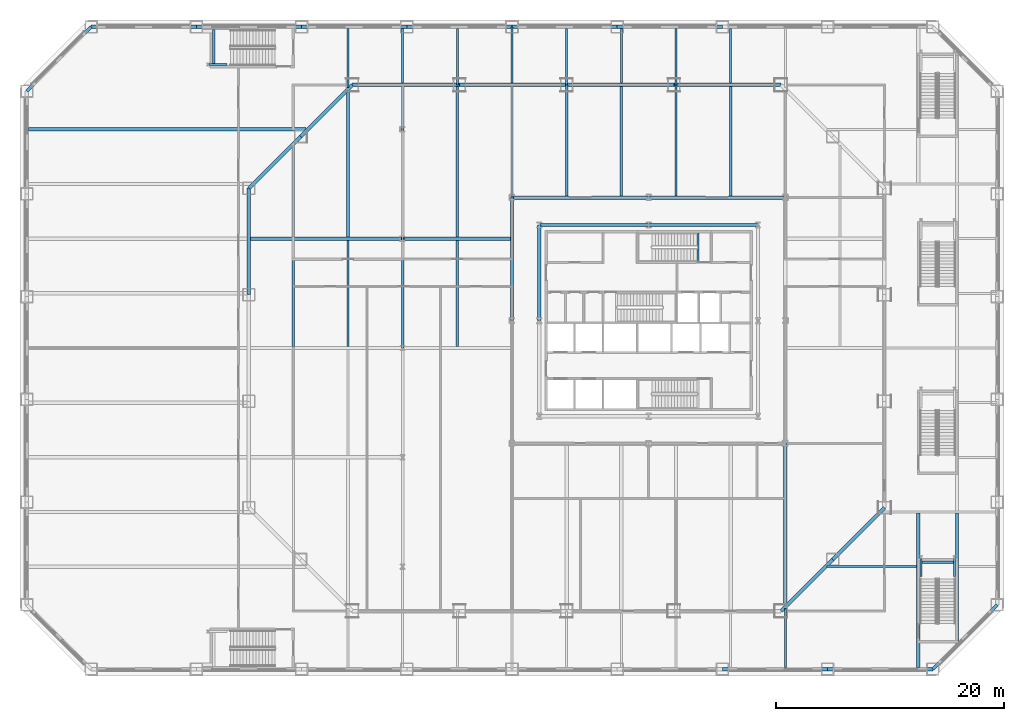
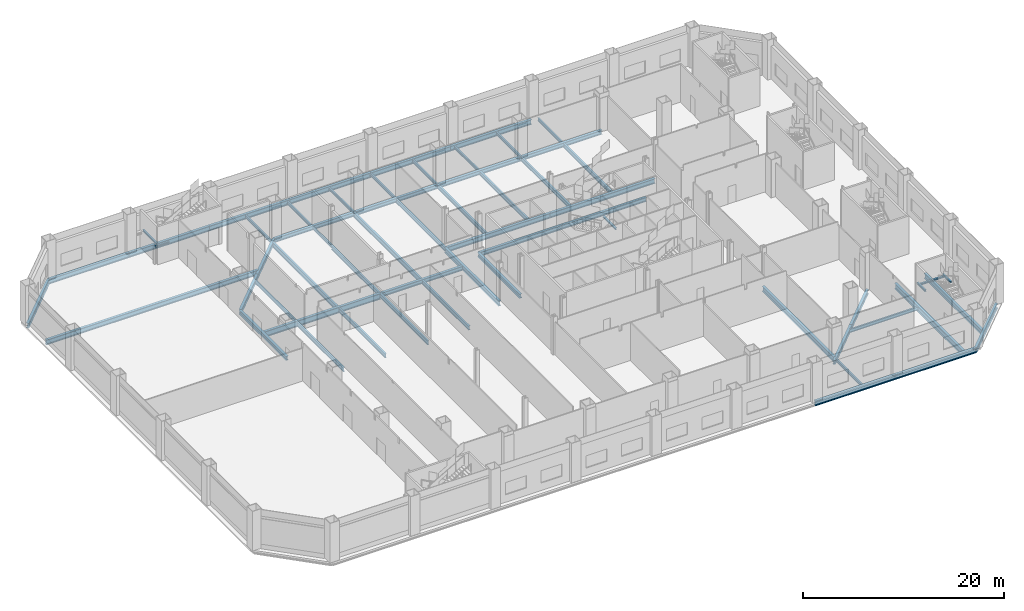
# One storey, part 9 of 25: 61 beams.
"""IFC4 building model written with IfcOpenShell, lengths in metres."""

import ifcopenshell
import ifcopenshell.guid

model = None  # the IFC model being written
_history = None  # IfcOwnerHistory: only IFC2X3 demands one
_inside = {}  # id of a spatial element -> (the spatial element, [elements in it])
_under = {}  # id of a project, library or spatial element -> (it, [spatial elements below it])
_declared = {}  # id of a project -> (the project, [libraries it declares])
_typed = {}  # id of a type object -> (the type object, [elements of that type])
_made_of = {}  # id of a material, layer set ... -> (it, [elements and type objects made of it])


def new_model(schema):
    """Start an empty IFC model of exactly this schema.

    Asked for "IFC4X3", IfcOpenShell would pick the latest addendum, in which some entities
    have other attributes; the version numbers below select the first issue.
    IFC2X3 requires an IfcOwnerHistory on every rooted entity: one is made here for all.
    """
    global model, _history
    if schema == "IFC4X3":
        model = ifcopenshell.file(schema_version=(4, 3, 0, 0))
    else:
        model = ifcopenshell.file(schema=schema)
    _inside.clear()
    _under.clear()
    _declared.clear()
    _typed.clear()
    _made_of.clear()
    _history = None
    if model.schema == "IFC2X3":
        org = make("IfcOrganization", Name="unknown")
        user = make(
            "IfcPersonAndOrganization",
            ThePerson=make("IfcPerson", FamilyName="unknown"),
            TheOrganization=org,
        )
        app = make(
            "IfcApplication",
            ApplicationDeveloper=org,
            Version="unknown",
            ApplicationFullName="unknown",
            ApplicationIdentifier="unknown",
        )
        _history = make(
            "IfcOwnerHistory",
            OwningUser=user,
            OwningApplication=app,
            ChangeAction="ADDED",
            CreationDate=0,
        )
    return model


def make(cls, **values):
    """One entity of the class cls with the attributes given. An attribute that is None is left unset."""
    return model.create_entity(
        cls, **{name: value for name, value in values.items() if value is not None}
    )


def rooted(cls, **values):
    """An entity with a GlobalId (a new one), such as an element, a storey or a relation."""
    return make(cls, GlobalId=ifcopenshell.guid.new(), OwnerHistory=_history, **values)


def si_unit(unit_type, name, prefix=None):
    """IfcSIUnit, for example si_unit("LENGTHUNIT", "METRE", prefix="MILLI")."""
    return make("IfcSIUnit", UnitType=unit_type, Prefix=prefix, Name=name)


def assignment(units):
    """IfcUnitAssignment: the units of a project."""
    return None if units is None else make("IfcUnitAssignment", Units=units)


def point(xyz):
    """IfcCartesianPoint."""
    return None if xyz is None else make("IfcCartesianPoint", Coordinates=xyz)


def direction(xyz):
    """IfcDirection."""
    return None if xyz is None else make("IfcDirection", DirectionRatios=xyz)


def frame(location, z_axis=None, x_axis=None):
    """IfcAxis2Placement3D, a coordinate frame: its origin and axes. An axis left out is left unset."""
    return make(
        "IfcAxis2Placement3D",
        Location=point(location),
        Axis=direction(z_axis),
        RefDirection=direction(x_axis),
    )


def frame_2d(location, x_axis=None):
    """IfcAxis2Placement2D, a coordinate frame in the plane: its origin and x axis."""
    return make(
        "IfcAxis2Placement2D", Location=point(location), RefDirection=direction(x_axis)
    )


def origin():
    """The frame at (0, 0, 0) with its axes left unset."""
    return frame((0.0, 0.0, 0.0))


def origin_2d():
    """The frame at (0, 0) in the plane with its x axis left unset."""
    return frame_2d((0.0, 0.0))


def place(relative_to, where):
    """IfcLocalPlacement: puts the frame where relative to a parent placement (None: the world)."""
    return make(
        "IfcLocalPlacement", PlacementRelTo=relative_to, RelativePlacement=where
    )


def context(
    kind, dimensions, precision=None, world=None, true_north=None, identifier=None
):
    """IfcGeometricRepresentationContext, for example the 3D "Model" context."""
    return make(
        "IfcGeometricRepresentationContext",
        ContextIdentifier=identifier,
        ContextType=kind,
        CoordinateSpaceDimension=dimensions,
        Precision=precision,
        WorldCoordinateSystem=world,
        TrueNorth=true_north,
    )


def subcontext(parent, identifier, kind, view, scale=None):
    """IfcGeometricRepresentationSubContext, for example "Body" below "Model"."""
    return make(
        "IfcGeometricRepresentationSubContext",
        ContextIdentifier=identifier,
        ContextType=kind,
        ParentContext=parent,
        TargetScale=scale,
        TargetView=view,
    )


def project(units=None, contexts=None):
    """IfcProject with its units and contexts."""
    return rooted(
        "IfcProject",
        Name="project",
        RepresentationContexts=contexts,
        UnitsInContext=assignment(units),
    )


def spatial(cls, under=None, at=None, **own):
    """A site, building, storey or space (cls), placed at a placement, below another one or the project."""
    s = rooted(cls, ObjectPlacement=at, **own)
    if under is not None:
        _under.setdefault(under.id(), (under, []))[1].append(s)
    return s


def profile(cls, at=None, kind="AREA", **sizes):
    """A parametric profile (cls). Its sizes go by their IFC names, for example OverallWidth=200.0."""
    return make(cls, ProfileType=kind, Position=at, **sizes)


def i_section(**sizes):
    """IfcIShapeProfileDef."""
    return profile("IfcIShapeProfileDef", **sizes)


def extrude(swept, where, along, depth):
    """IfcExtrudedAreaSolid: the profile swept, set in the frame where, extruded along a direction by depth."""
    return make(
        "IfcExtrudedAreaSolid",
        SweptArea=swept,
        Position=where,
        ExtrudedDirection=direction(along),
        Depth=depth,
    )


def shape(context_of_items, identifier, shape_type, items):
    """IfcShapeRepresentation: the items that make up one representation, for example the "Body"."""
    return make(
        "IfcShapeRepresentation",
        ContextOfItems=context_of_items,
        RepresentationIdentifier=identifier,
        RepresentationType=shape_type,
        Items=items,
    )


def material(Name=None, Category=None):
    """IfcMaterial."""
    return make("IfcMaterial", Name=Name, Category=Category)


def material_profile(
    of_material, cross_section, Name=None, Category=None, Priority=None
):
    """IfcMaterialProfile: a cross section and its material."""
    return make(
        "IfcMaterialProfile",
        Name=Name,
        Material=of_material,
        Profile=cross_section,
        Priority=Priority,
        Category=Category,
    )


def profile_set(profiles, Name=None, composite=None):
    """IfcMaterialProfileSet."""
    return make(
        "IfcMaterialProfileSet",
        Name=Name,
        MaterialProfiles=profiles,
        CompositeProfile=composite,
    )


def made_of(thing, what):
    """Note that an element or type object is made of a material, layer set ...; save() writes the relation."""
    if what is not None:
        _made_of.setdefault(what.id(), (what, []))[1].append(thing)
    return thing


def type_object(cls, material=None, **own):
    """A type object (cls), such as IfcWallType, which elements share."""
    return made_of(rooted(cls, **own), material)


def element(
    cls,
    number,
    at=None,
    inside=None,
    cuts=None,
    type_object=None,
    material=None,
    context=None,
    identifier="Body",
    shape_type=None,
    held_by="IfcProductDefinitionShape",
    body=None,
    shapes=None,
    **own,
):
    """One element of the class cls, such as IfcWall. Its Tag is "e" and its number.

    at: its placement. inside: the storey or other place that contains it. cuts: it is an
    opening in that element (IfcRelVoidsElement). A single representation is given by context,
    identifier, shape_type and body (its items); several are given by shapes. held_by: the class
    of the entity that holds the representations. save() writes the other relations.
    """
    e = rooted(cls, Tag="e%d" % number, ObjectPlacement=at, **own)
    if body is not None:
        shapes = [shape(context, identifier, shape_type, body)]
    if shapes is not None:
        e.Representation = make(held_by, Representations=shapes)
    if inside is not None:
        _inside.setdefault(inside.id(), (inside, []))[1].append(e)
    if cuts is not None:
        rooted(
            "IfcRelVoidsElement", RelatingBuildingElement=cuts, RelatedOpeningElement=e
        )
    if type_object is not None:
        _typed.setdefault(type_object.id(), (type_object, []))[1].append(e)
    return made_of(e, material)


def aggregate(whole, parts):
    """IfcRelAggregates: a whole, such as a stair, and the parts it consists of."""
    return rooted("IfcRelAggregates", RelatingObject=whole, RelatedObjects=parts)


def save(model, path):
    """Write the relations noted so far, then the file.

    IfcRelAggregates (storeys below a building ...), IfcRelContainedInSpatialStructure (elements
    in a storey), IfcRelDefinesByType, IfcRelAssociatesMaterial and IfcRelDeclares: one each for
    every whole, place, type object, material and project.
    """
    for whole, parts in _under.values():
        aggregate(whole, parts)
    for where, things in _inside.values():
        rooted(
            "IfcRelContainedInSpatialStructure",
            RelatedElements=things,
            RelatingStructure=where,
        )
    for kind, things in _typed.values():
        rooted("IfcRelDefinesByType", RelatedObjects=things, RelatingType=kind)
    for what, things in _made_of.values():
        rooted("IfcRelAssociatesMaterial", RelatedObjects=things, RelatingMaterial=what)
    for by, libraries in _declared.values():
        rooted("IfcRelDeclares", RelatingContext=by, RelatedDefinitions=libraries)
    model.write(path)


model = new_model("IFC4")

# Units and contexts
model_context = context("Model", 3, precision=1e-05, world=origin(), true_north=direction((0.0, 1.0)))
body_context = subcontext(model_context, "Body", "Model", "MODEL_VIEW")
ifc_project = project(units=[si_unit("LENGTHUNIT", "METRE"), si_unit("AREAUNIT", "SQUARE_METRE"), si_unit("VOLUMEUNIT", "CUBIC_METRE"), si_unit("PLANEANGLEUNIT", "RADIAN"), si_unit("MASSUNIT", "GRAM", prefix="KILO")], contexts=[model_context])

# Site, building, storey
site_placement = place(None, origin())
site = spatial("IfcSite", under=ifc_project, at=site_placement, CompositionType="ELEMENT")
building_placement = place(site_placement, origin())
building = spatial("IfcBuilding", under=site, at=building_placement, Name="Cairn Pilgrim Tower", CompositionType="ELEMENT")
storey_placement = place(building_placement, frame((0.0, 0.0, 30.60009765625)))
storey = spatial("IfcBuildingStorey", under=building, at=storey_placement, Name="L05", CompositionType="ELEMENT", Elevation=30.60009765625)

# Beams
ifc_material = material(Name="Structural steel S355J2", Category="steel")
ifc_material_profile_1 = material_profile(ifc_material, i_section(OverallWidth=0.300048828125, OverallDepth=0.60009765625, WebThickness=0.015380859375, FlangeThickness=0.030029296875, FilletRadius=0.027099609375, at=origin_2d()), Name="HEB 600")
ifc_profile_set_1 = profile_set([ifc_material_profile_1], Name="Structural steel S355J2")
beam_type_1 = type_object("IfcBeamType", Name="PODIUM BEAM HE 600 B", PredefinedType="BEAM", material=ifc_profile_set_1)
beam_1_placement = place(storey_placement, frame((19.199951171875, -22.5751953125, -0.5), z_axis=(0.0, 1.0, 0.0), x_axis=(-1.0, 0.0, 0.0)))
element("IfcBeam", 1, at=beam_1_placement, inside=storey, type_object=beam_type_1, Name="PODIUM BEAM PB-HE600B", PredefinedType="BEAM", context=body_context, shape_type="SweptSolid", body=[
    extrude(i_section(OverallWidth=0.300048828125, OverallDepth=0.60009765625, WebThickness=0.015380859375, FlangeThickness=0.030029296875, FilletRadius=0.027099609375, at=origin_2d()), origin(), (0.0, 0.0, 1.0), 14.17529296875),
])
beam_2_placement = place(storey_placement, frame((-47.248046875, 19.199951171875, -0.5), z_axis=(1.0, 0.0, 0.0), x_axis=(0.0, 1.0, 0.0)))
element("IfcBeam", 2, at=beam_2_placement, inside=storey, type_object=beam_type_1, Name="PODIUM BEAM PB-HE600B", PredefinedType="BEAM", context=body_context, shape_type="SweptSolid", body=[
    extrude(i_section(OverallWidth=0.300048828125, OverallDepth=0.60009765625, WebThickness=0.015380859375, FlangeThickness=0.030029296875, FilletRadius=0.027099609375, at=origin_2d()), origin(), (0.0, 0.0, 1.0), 24.368896484375),
])
ifc_material_profile_2 = material_profile(ifc_material, i_section(OverallWidth=0.169921875, OverallDepth=0.360107421875, WebThickness=0.008056640625, FlangeThickness=0.0126953125, FilletRadius=0.01806640625, at=origin_2d()), Name="IPE 360")
ifc_profile_set_2 = profile_set([ifc_material_profile_2], Name="Structural steel S355J2")
beam_type_2 = type_object("IfcBeamType", Name="PODIUM BEAM IPE 360", PredefinedType="BEAM", material=ifc_profile_set_2)
beam_3_placement = place(storey_placement, frame((-14.39990234375, 19.199951171875, -0.380126953125), z_axis=(0.0, 1.0, 0.0), x_axis=(-1.0, 0.0, 0.0)))
element("IfcBeam", 3, at=beam_3_placement, inside=storey, type_object=beam_type_2, Name="PODIUM BEAM PB-IPE360", PredefinedType="BEAM", context=body_context, shape_type="SweptSolid", body=[
    extrude(i_section(OverallWidth=0.169921875, OverallDepth=0.360107421875, WebThickness=0.008056640625, FlangeThickness=0.0126953125, FilletRadius=0.01806640625, at=origin_2d()), origin(), (0.0, 0.0, 1.0), 3.748046875),
])
beam_4_placement = place(storey_placement, frame((-19.199951171875, 22.879150390625, -0.380126953125), z_axis=(0.0, 1.0, 0.0), x_axis=(-1.0, 0.0, 0.0)))
element("IfcBeam", 4, at=beam_4_placement, inside=storey, type_object=beam_type_2, Name="PODIUM BEAM PB-IPE360", PredefinedType="BEAM", context=body_context, shape_type="SweptSolid", body=[
    extrude(i_section(OverallWidth=0.169921875, OverallDepth=0.360107421875, WebThickness=0.008056640625, FlangeThickness=0.0126953125, FilletRadius=0.01806640625, at=origin_2d()), origin(), (0.0, 0.0, 1.0), 5.1689453125),
])
beam_5_placement = place(storey_placement, frame((-14.39990234375, 23.251953125, -0.380126953125), z_axis=(0.0, 1.0, 0.0), x_axis=(-1.0, 0.0, 0.0)))
element("IfcBeam", 5, at=beam_5_placement, inside=storey, type_object=beam_type_2, Name="PODIUM BEAM PB-IPE360", PredefinedType="BEAM", context=body_context, shape_type="SweptSolid", body=[
    extrude(i_section(OverallWidth=0.169921875, OverallDepth=0.360107421875, WebThickness=0.008056640625, FlangeThickness=0.0126953125, FilletRadius=0.01806640625, at=origin_2d()), origin(), (0.0, 0.0, 1.0), 4.796142578125),
])
for number, where, z_axis, x_axis, name in (
    (6, (-9.60009765625, 23.10009765625, -0.380126953125), (0.0, 1.0, 0.0), (-1.0, 0.0, 0.0), "PODIUM BEAM PB-IPE360"),
    (7, (-4.800048828125, 23.251953125, -0.380126953125), (0.0, 1.0, 0.0), (-1.0, 0.0, 0.0), "PODIUM BEAM PB-IPE360"),
    (8, (0.0, 23.10009765625, -0.380126953125), (0.0, 1.0, 0.0), (-1.0, 0.0, 0.0), "PODIUM BEAM PB-IPE360"),
):
    element("IfcBeam", number, at=place(storey_placement, frame(where, z_axis=z_axis, x_axis=x_axis)), inside=storey, type_object=beam_type_2, Name=name, PredefinedType="BEAM", context=body_context, shape_type="SweptSolid", body=[
        extrude(i_section(OverallWidth=0.169921875, OverallDepth=0.360107421875, WebThickness=0.008056640625, FlangeThickness=0.0126953125, FilletRadius=0.01806640625, at=origin_2d()), origin(), (0.0, 0.0, 1.0), 4.947998046875),
    ])
beam_6_placement = place(storey_placement, frame((4.800048828125, 23.251953125, -0.380126953125), z_axis=(0.0, 1.0, 0.0), x_axis=(-1.0, 0.0, 0.0)))
element("IfcBeam", 9, at=beam_6_placement, inside=storey, type_object=beam_type_2, Name="PODIUM BEAM PB-IPE360", PredefinedType="BEAM", context=body_context, shape_type="SweptSolid", body=[
    extrude(i_section(OverallWidth=0.169921875, OverallDepth=0.360107421875, WebThickness=0.008056640625, FlangeThickness=0.0126953125, FilletRadius=0.01806640625, at=origin_2d()), origin(), (0.0, 0.0, 1.0), 4.796142578125),
])
beam_7_placement = place(storey_placement, frame((9.60009765625, 23.10009765625, -0.380126953125), z_axis=(0.0, 1.0, 0.0), x_axis=(-1.0, 0.0, 0.0)))
element("IfcBeam", 10, at=beam_7_placement, inside=storey, type_object=beam_type_2, Name="PODIUM BEAM PB-IPE360", PredefinedType="BEAM", context=body_context, shape_type="SweptSolid", body=[
    extrude(i_section(OverallWidth=0.169921875, OverallDepth=0.360107421875, WebThickness=0.008056640625, FlangeThickness=0.0126953125, FilletRadius=0.01806640625, at=origin_2d()), origin(), (0.0, 0.0, 1.0), 4.947998046875),
])
beam_8_placement = place(storey_placement, frame((14.39990234375, 23.251953125, -0.380126953125), z_axis=(0.0, 1.0, 0.0), x_axis=(-1.0, 0.0, 0.0)))
element("IfcBeam", 11, at=beam_8_placement, inside=storey, type_object=beam_type_2, Name="PODIUM BEAM PB-IPE360", PredefinedType="BEAM", context=body_context, shape_type="SweptSolid", body=[
    extrude(i_section(OverallWidth=0.169921875, OverallDepth=0.360107421875, WebThickness=0.008056640625, FlangeThickness=0.0126953125, FilletRadius=0.01806640625, at=origin_2d()), origin(), (0.0, 0.0, 1.0), 4.796142578125),
])
beam_9_placement = place(storey_placement, frame((19.199951171875, -28.048095703125, -0.380126953125), z_axis=(0.0, 1.0, 0.0), x_axis=(-1.0, 0.0, 0.0)))
element("IfcBeam", 12, at=beam_9_placement, inside=storey, type_object=beam_type_2, Name="PODIUM BEAM PB-IPE360", PredefinedType="BEAM", context=body_context, shape_type="SweptSolid", body=[
    extrude(i_section(OverallWidth=0.169921875, OverallDepth=0.360107421875, WebThickness=0.008056640625, FlangeThickness=0.0126953125, FilletRadius=0.01806640625, at=origin_2d()), origin(), (0.0, 0.0, 1.0), 5.1689453125),
])
ifc_material_profile_3 = material_profile(ifc_material, i_section(OverallWidth=0.179931640625, OverallDepth=0.39990234375, WebThickness=0.008544921875, FlangeThickness=0.013427734375, FilletRadius=0.02099609375, at=origin_2d()), Name="IPE 400")
ifc_profile_set_3 = profile_set([ifc_material_profile_3], Name="Structural steel S355J2")
beam_type_3 = type_object("IfcBeamType", Name="PODIUM BEAM IPE 400", PredefinedType="BEAM", material=ifc_profile_set_3)
beam_10_placement = place(storey_placement, frame((-24.0, 9.751953125, -0.400146484375), z_axis=(0.0, 1.0, 0.0), x_axis=(-1.0, 0.0, 0.0)))
element("IfcBeam", 13, at=beam_10_placement, inside=storey, type_object=beam_type_3, Name="PODIUM BEAM PB-IPE400", PredefinedType="BEAM", context=body_context, shape_type="SweptSolid", body=[
    extrude(i_section(OverallWidth=0.179931640625, OverallDepth=0.39990234375, WebThickness=0.008544921875, FlangeThickness=0.013427734375, FilletRadius=0.02099609375, at=origin_2d()), origin(), (0.0, 0.0, 1.0), 8.023193359375),
])
beam_11_placement = place(storey_placement, frame((22.879150390625, -19.199951171875, -0.400146484375), z_axis=(1.0, 0.0, 0.0), x_axis=(0.0, 1.0, 0.0)))
element("IfcBeam", 14, at=beam_11_placement, inside=storey, type_object=beam_type_3, Name="PODIUM BEAM PB-IPE400", PredefinedType="BEAM", context=body_context, shape_type="SweptSolid", body=[
    extrude(i_section(OverallWidth=0.179931640625, OverallDepth=0.39990234375, WebThickness=0.008544921875, FlangeThickness=0.013427734375, FilletRadius=0.02099609375, at=origin_2d()), origin(), (0.0, 0.0, 1.0), 7.848876953125),
])
ifc_material_profile_4 = material_profile(ifc_material, i_section(OverallWidth=0.199951171875, OverallDepth=0.5, WebThickness=0.01025390625, FlangeThickness=0.01611328125, FilletRadius=0.02099609375, at=origin_2d()), Name="IPE 500")
ifc_profile_set_4 = profile_set([ifc_material_profile_4], Name="Structural steel S355J2")
beam_type_4 = type_object("IfcBeamType", Name="PODIUM BEAM IPE 500", PredefinedType="BEAM", material=ifc_profile_set_4)
for number, where, z_axis, x_axis, name in (
    (15, (-24.0, 0.152099609375, -0.4501953125), (0.0, 1.0, 0.0), (-1.0, 0.0, 0.0), "PODIUM BEAM PB-IPE500"),
    (16, (-19.199951171875, 0.152099609375, -0.4501953125), (0.0, 1.0, 0.0), (-1.0, 0.0, 0.0), "PODIUM BEAM PB-IPE500"),
):
    element("IfcBeam", number, at=place(storey_placement, frame(where, z_axis=z_axis, x_axis=x_axis)), inside=storey, type_object=beam_type_4, Name=name, PredefinedType="BEAM", context=body_context, shape_type="SweptSolid", body=[
        extrude(i_section(OverallWidth=0.199951171875, OverallDepth=0.5, WebThickness=0.01025390625, FlangeThickness=0.01611328125, FilletRadius=0.02099609375, at=origin_2d()), origin(), (0.0, 0.0, 1.0), 9.2958984375),
    ])
beam_12_placement = place(storey_placement, frame((-14.39990234375, 0.0, -0.4501953125), z_axis=(0.0, 1.0, 0.0), x_axis=(-1.0, 0.0, 0.0)))
element("IfcBeam", 17, at=beam_12_placement, inside=storey, type_object=beam_type_4, Name="PODIUM BEAM PB-IPE500", PredefinedType="BEAM", context=body_context, shape_type="SweptSolid", body=[
    extrude(i_section(OverallWidth=0.199951171875, OverallDepth=0.5, WebThickness=0.01025390625, FlangeThickness=0.01611328125, FilletRadius=0.02099609375, at=origin_2d()), origin(), (0.0, 0.0, 1.0), 9.60009765625),
])
beam_13_placement = place(storey_placement, frame((-14.39990234375, 9.60009765625, -0.4501953125), z_axis=(0.0, 1.0, 0.0), x_axis=(-1.0, 0.0, 0.0)))
element("IfcBeam", 18, at=beam_13_placement, inside=storey, type_object=beam_type_4, Name="PODIUM BEAM PB-IPE500", PredefinedType="BEAM", context=body_context, shape_type="SweptSolid", body=[
    extrude(i_section(OverallWidth=0.199951171875, OverallDepth=0.5, WebThickness=0.01025390625, FlangeThickness=0.01611328125, FilletRadius=0.02099609375, at=origin_2d()), origin(), (0.0, 0.0, 1.0), 9.599853515625),
])
beam_14_placement = place(storey_placement, frame((-9.60009765625, 0.152099609375, -0.4501953125), z_axis=(0.0, 1.0, 0.0), x_axis=(-1.0, 0.0, 0.0)))
element("IfcBeam", 19, at=beam_14_placement, inside=storey, type_object=beam_type_4, Name="PODIUM BEAM PB-IPE500", PredefinedType="BEAM", context=body_context, shape_type="SweptSolid", body=[
    extrude(i_section(OverallWidth=0.199951171875, OverallDepth=0.5, WebThickness=0.01025390625, FlangeThickness=0.01611328125, FilletRadius=0.02099609375, at=origin_2d()), origin(), (0.0, 0.0, 1.0), 9.2958984375),
])
for number, where, z_axis, x_axis, name in (
    (20, (-4.800048828125, 13.199951171875, -0.4501953125), (0.0, 1.0, 0.0), (-1.0, 0.0, 0.0), "PODIUM BEAM PB-IPE500"),
    (21, (0.0, 13.35205078125, -0.4501953125), (0.0, 1.0, 0.0), (-1.0, 0.0, 0.0), "PODIUM BEAM PB-IPE500"),
):
    element("IfcBeam", number, at=place(storey_placement, frame(where, z_axis=z_axis, x_axis=x_axis)), inside=storey, type_object=beam_type_4, Name=name, PredefinedType="BEAM", context=body_context, shape_type="SweptSolid", body=[
        extrude(i_section(OverallWidth=0.199951171875, OverallDepth=0.5, WebThickness=0.01025390625, FlangeThickness=0.01611328125, FilletRadius=0.02099609375, at=origin_2d()), origin(), (0.0, 0.0, 1.0), 9.748046875),
    ])
beam_15_placement = place(storey_placement, frame((4.800048828125, 13.35205078125, -0.4501953125), z_axis=(0.0, 1.0, 0.0), x_axis=(-1.0, 0.0, 0.0)))
element("IfcBeam", 22, at=beam_15_placement, inside=storey, type_object=beam_type_4, Name="PODIUM BEAM PB-IPE500", PredefinedType="BEAM", context=body_context, shape_type="SweptSolid", body=[
    extrude(i_section(OverallWidth=0.199951171875, OverallDepth=0.5, WebThickness=0.01025390625, FlangeThickness=0.01611328125, FilletRadius=0.02099609375, at=origin_2d()), origin(), (0.0, 0.0, 1.0), 9.595947265625),
])
beam_16_placement = place(storey_placement, frame((9.60009765625, 13.35205078125, -0.4501953125), z_axis=(0.0, 1.0, 0.0), x_axis=(-1.0, 0.0, 0.0)))
element("IfcBeam", 23, at=beam_16_placement, inside=storey, type_object=beam_type_4, Name="PODIUM BEAM PB-IPE500", PredefinedType="BEAM", context=body_context, shape_type="SweptSolid", body=[
    extrude(i_section(OverallWidth=0.199951171875, OverallDepth=0.5, WebThickness=0.01025390625, FlangeThickness=0.01611328125, FilletRadius=0.02099609375, at=origin_2d()), origin(), (0.0, 0.0, 1.0), 9.748046875),
])
beam_17_placement = place(storey_placement, frame((14.39990234375, 13.35205078125, -0.4501953125), z_axis=(0.0, 1.0, 0.0), x_axis=(-1.0, 0.0, 0.0)))
element("IfcBeam", 24, at=beam_17_placement, inside=storey, type_object=beam_type_4, Name="PODIUM BEAM PB-IPE500", PredefinedType="BEAM", context=body_context, shape_type="SweptSolid", body=[
    extrude(i_section(OverallWidth=0.199951171875, OverallDepth=0.5, WebThickness=0.01025390625, FlangeThickness=0.01611328125, FilletRadius=0.02099609375, at=origin_2d()), origin(), (0.0, 0.0, 1.0), 9.595947265625),
])
ifc_material_profile_5 = material_profile(ifc_material, i_section(OverallWidth=0.219970703125, OverallDepth=0.60009765625, WebThickness=0.011962890625, FlangeThickness=0.01904296875, FilletRadius=0.02392578125, at=origin_2d()), Name="IPE 600")
ifc_profile_set_5 = profile_set([ifc_material_profile_5], Name="Structural steel S355J2")
beam_type_5 = type_object("IfcBeamType", Name="PODIUM BEAM IPE 600", PredefinedType="BEAM", material=ifc_profile_set_5)
beam_18_placement = place(storey_placement, frame((-19.199951171875, 9.751953125, -0.5), z_axis=(0.0, 1.0, 0.0), x_axis=(-1.0, 0.0, 0.0)))
element("IfcBeam", 25, at=beam_18_placement, inside=storey, type_object=beam_type_5, Name="PODIUM BEAM PB-IPE600", PredefinedType="BEAM", context=body_context, shape_type="SweptSolid", body=[
    extrude(i_section(OverallWidth=0.219970703125, OverallDepth=0.60009765625, WebThickness=0.011962890625, FlangeThickness=0.01904296875, FilletRadius=0.02392578125, at=origin_2d()), origin(), (0.0, 0.0, 1.0), 12.8232421875),
])
beam_19_placement = place(storey_placement, frame((-9.60009765625, 9.751953125, -0.5), z_axis=(0.0, 1.0, 0.0), x_axis=(-1.0, 0.0, 0.0)))
element("IfcBeam", 26, at=beam_19_placement, inside=storey, type_object=beam_type_5, Name="PODIUM BEAM PB-IPE600", PredefinedType="BEAM", context=body_context, shape_type="SweptSolid", body=[
    extrude(i_section(OverallWidth=0.219970703125, OverallDepth=0.60009765625, WebThickness=0.011962890625, FlangeThickness=0.01904296875, FilletRadius=0.02392578125, at=origin_2d()), origin(), (0.0, 0.0, 1.0), 13.34814453125),
])
ifc_material_profile_6 = material_profile(ifc_material, i_section(OverallWidth=0.300048828125, OverallDepth=0.60009765625, WebThickness=0.015380859375, FlangeThickness=0.030029296875, FilletRadius=0.027099609375, at=origin_2d()), Name="HEB 600")
ifc_profile_set_6 = profile_set([ifc_material_profile_6], Name="Structural steel S355J2")
beam_type_6 = type_object("IfcBeamType", Name="PODIUM EDGE GIRDER HE 600 B", PredefinedType="BEAM", material=ifc_profile_set_6)
beam_20_placement = place(storey_placement, frame((13.67578125, -28.199951171875, -0.5), z_axis=(1.0, 0.0, 0.0), x_axis=(0.0, 1.0, 0.0)))
element("IfcBeam", 27, at=beam_20_placement, inside=storey, type_object=beam_type_6, Name="PODIUM EDGE GIRDER PE-HE600B", PredefinedType="BEAM", context=body_context, shape_type="SweptSolid", body=[
    extrude(i_section(OverallWidth=0.300048828125, OverallDepth=0.60009765625, WebThickness=0.015380859375, FlangeThickness=0.030029296875, FilletRadius=0.027099609375, at=origin_2d()), origin(), (0.0, 0.0, 1.0), 9.23779296875),
])
beam_21_placement = place(storey_placement, frame((22.91357421875, -28.199951171875, -0.5), z_axis=(1.0, 0.0, 0.0), x_axis=(0.0, 1.0, 0.0)))
element("IfcBeam", 28, at=beam_21_placement, inside=storey, type_object=beam_type_6, Name="PODIUM EDGE GIRDER PE-HE600B", PredefinedType="BEAM", context=body_context, shape_type="SweptSolid", body=[
    extrude(i_section(OverallWidth=0.300048828125, OverallDepth=0.60009765625, WebThickness=0.015380859375, FlangeThickness=0.030029296875, FilletRadius=0.027099609375, at=origin_2d()), origin(), (0.0, 0.0, 1.0), 9.238037109375),
])
beam_22_placement = place(storey_placement, frame((32.151611328125, -28.199951171875, -0.5), z_axis=(0.707106781187, 0.707106781187, 0.0), x_axis=(-0.707106781187, 0.707106781187, 0.0)))
element("IfcBeam", 29, at=beam_22_placement, inside=storey, type_object=beam_type_6, Name="PODIUM EDGE GIRDER PE-HE600B", PredefinedType="BEAM", context=body_context, shape_type="SweptSolid", body=[
    extrude(i_section(OverallWidth=0.300048828125, OverallDepth=0.60009765625, WebThickness=0.015380859375, FlangeThickness=0.030029296875, FilletRadius=0.027099609375, at=origin_2d()), origin(), (0.0, 0.0, 1.0), 7.988037109375),
])
beam_23_placement = place(storey_placement, frame((13.67578125, 28.199951171875, -0.5), z_axis=(-1.0, 0.0, 0.0), x_axis=(0.0, -1.0, 0.0)))
element("IfcBeam", 30, at=beam_23_placement, inside=storey, type_object=beam_type_6, Name="PODIUM EDGE GIRDER PE-HE600B", PredefinedType="BEAM", context=body_context, shape_type="SweptSolid", body=[
    extrude(i_section(OverallWidth=0.300048828125, OverallDepth=0.60009765625, WebThickness=0.015380859375, FlangeThickness=0.030029296875, FilletRadius=0.027099609375, at=origin_2d()), origin(), (0.0, 0.0, 1.0), 9.23779296875),
])
beam_24_placement = place(storey_placement, frame((4.43798828125, 28.199951171875, -0.5), z_axis=(-1.0, 0.0, 0.0), x_axis=(0.0, -1.0, 0.0)))
element("IfcBeam", 31, at=beam_24_placement, inside=storey, type_object=beam_type_6, Name="PODIUM EDGE GIRDER PE-HE600B", PredefinedType="BEAM", context=body_context, shape_type="SweptSolid", body=[
    extrude(i_section(OverallWidth=0.300048828125, OverallDepth=0.60009765625, WebThickness=0.015380859375, FlangeThickness=0.030029296875, FilletRadius=0.027099609375, at=origin_2d()), origin(), (0.0, 0.0, 1.0), 9.238037109375),
])
for number, where, z_axis, x_axis, name in (
    (32, (-4.800048828125, 28.199951171875, -0.5), (-1.0, 0.0, 0.0), (0.0, -1.0, 0.0), "PODIUM EDGE GIRDER PE-HE600B"),
    (33, (-14.037841796875, 28.199951171875, -0.5), (-1.0, 0.0, 0.0), (0.0, -1.0, 0.0), "PODIUM EDGE GIRDER PE-HE600B"),
):
    element("IfcBeam", number, at=place(storey_placement, frame(where, z_axis=z_axis, x_axis=x_axis)), inside=storey, type_object=beam_type_6, Name=name, PredefinedType="BEAM", context=body_context, shape_type="SweptSolid", body=[
        extrude(i_section(OverallWidth=0.300048828125, OverallDepth=0.60009765625, WebThickness=0.015380859375, FlangeThickness=0.030029296875, FilletRadius=0.027099609375, at=origin_2d()), origin(), (0.0, 0.0, 1.0), 9.23779296875),
    ])
beam_25_placement = place(storey_placement, frame((-23.275634765625, 28.199951171875, -0.5), z_axis=(-1.0, 0.0, 0.0), x_axis=(0.0, -1.0, 0.0)))
element("IfcBeam", 34, at=beam_25_placement, inside=storey, type_object=beam_type_6, Name="PODIUM EDGE GIRDER PE-HE600B", PredefinedType="BEAM", context=body_context, shape_type="SweptSolid", body=[
    extrude(i_section(OverallWidth=0.300048828125, OverallDepth=0.60009765625, WebThickness=0.015380859375, FlangeThickness=0.030029296875, FilletRadius=0.027099609375, at=origin_2d()), origin(), (0.0, 0.0, 1.0), 9.238037109375),
])
beam_26_placement = place(storey_placement, frame((-32.513671875, 28.199951171875, -0.5), z_axis=(-1.0, 0.0, 0.0), x_axis=(0.0, -1.0, 0.0)))
element("IfcBeam", 35, at=beam_26_placement, inside=storey, type_object=beam_type_6, Name="PODIUM EDGE GIRDER PE-HE600B", PredefinedType="BEAM", context=body_context, shape_type="SweptSolid", body=[
    extrude(i_section(OverallWidth=0.300048828125, OverallDepth=0.60009765625, WebThickness=0.015380859375, FlangeThickness=0.030029296875, FilletRadius=0.027099609375, at=origin_2d()), origin(), (0.0, 0.0, 1.0), 9.23779296875),
])
beam_27_placement = place(storey_placement, frame((-41.75146484375, 28.199951171875, -0.5), z_axis=(-0.707106781187, -0.707106781187, 0.0), x_axis=(0.707106781187, -0.707106781187, 0.0)))
element("IfcBeam", 36, at=beam_27_placement, inside=storey, type_object=beam_type_6, Name="PODIUM EDGE GIRDER PE-HE600B", PredefinedType="BEAM", context=body_context, shape_type="SweptSolid", body=[
    extrude(i_section(OverallWidth=0.300048828125, OverallDepth=0.60009765625, WebThickness=0.015380859375, FlangeThickness=0.030029296875, FilletRadius=0.027099609375, at=origin_2d()), origin(), (0.0, 0.0, 1.0), 7.988037109375),
])
ifc_material_profile_7 = material_profile(ifc_material, i_section(OverallWidth=0.300048828125, OverallDepth=0.5, WebThickness=0.014404296875, FlangeThickness=0.028076171875, FilletRadius=0.027099609375, at=origin_2d()), Name="HEB 500")
ifc_profile_set_7 = profile_set([ifc_material_profile_7], Name="Structural steel S355J2")
beam_type_7 = type_object("IfcBeamType", Name="PODIUM GIRDER HE 500 B", PredefinedType="BEAM", material=ifc_profile_set_7)
for number, where, z_axis, x_axis, name in (
    (37, (18.8271484375, -23.10009765625, -0.4501953125), (0.707106781187, 0.707106781187, 0.0), (-0.707106781187, 0.707106781187, 0.0), "PODIUM GIRDER PG-HE500B"),
    (38, (23.363525390625, -18.563720703125, -0.4501953125), (0.707087753759, 0.707125808102, 0.0), (-0.707125808102, 0.707087753759, 0.0), "PODIUM GIRDER PG-HE500B"),
):
    element("IfcBeam", number, at=place(storey_placement, frame(where, z_axis=z_axis, x_axis=x_axis)), inside=storey, type_object=beam_type_7, Name=name, PredefinedType="BEAM", context=body_context, shape_type="SweptSolid", body=[
        extrude(i_section(OverallWidth=0.300048828125, OverallDepth=0.5, WebThickness=0.014404296875, FlangeThickness=0.028076171875, FilletRadius=0.027099609375, at=origin_2d()), origin(), (0.0, 0.0, 1.0), 6.41552734375),
    ])
for number, where, z_axis, x_axis, name in (
    (39, (18.8271484375, 23.10009765625, -0.4501953125), (-1.0, 0.0, 0.0), (0.0, -1.0, 0.0), "PODIUM GIRDER PG-HE500B"),
    (40, (9.41357421875, 23.10009765625, -0.4501953125), (-1.0, 0.0, 0.0), (0.0, -1.0, 0.0), "PODIUM GIRDER PG-HE500B"),
    (41, (0.0, 23.10009765625, -0.4501953125), (-1.0, 0.0, 0.0), (0.0, -1.0, 0.0), "PODIUM GIRDER PG-HE500B"),
    (42, (-9.41357421875, 23.10009765625, -0.4501953125), (-1.0, 0.0, 0.0), (0.0, -1.0, 0.0), "PODIUM GIRDER PG-HE500B"),
):
    element("IfcBeam", number, at=place(storey_placement, frame(where, z_axis=z_axis, x_axis=x_axis)), inside=storey, type_object=beam_type_7, Name=name, PredefinedType="BEAM", context=body_context, shape_type="SweptSolid", body=[
        extrude(i_section(OverallWidth=0.300048828125, OverallDepth=0.5, WebThickness=0.014404296875, FlangeThickness=0.028076171875, FilletRadius=0.027099609375, at=origin_2d()), origin(), (0.0, 0.0, 1.0), 9.41357421875),
    ])
for number, where, z_axis, x_axis, name in (
    (43, (-18.8271484375, 23.10009765625, -0.4501953125), (-0.707106781187, -0.707106781187, 0.0), (0.707106781187, -0.707106781187, 0.0), "PODIUM GIRDER PG-HE500B"),
    (44, (-23.363525390625, 18.563720703125, -0.4501953125), (-0.707087753759, -0.707125808102, 0.0), (0.707125808102, -0.707087753759, 0.0), "PODIUM GIRDER PG-HE500B"),
):
    element("IfcBeam", number, at=place(storey_placement, frame(where, z_axis=z_axis, x_axis=x_axis)), inside=storey, type_object=beam_type_7, Name=name, PredefinedType="BEAM", context=body_context, shape_type="SweptSolid", body=[
        extrude(i_section(OverallWidth=0.300048828125, OverallDepth=0.5, WebThickness=0.014404296875, FlangeThickness=0.028076171875, FilletRadius=0.027099609375, at=origin_2d()), origin(), (0.0, 0.0, 1.0), 6.41552734375),
    ])
beam_28_placement = place(storey_placement, frame((-27.89990234375, 14.027099609375, -0.4501953125), z_axis=(0.0, -1.0, 0.0), x_axis=(1.0, 0.0, 0.0)))
element("IfcBeam", 45, at=beam_28_placement, inside=storey, type_object=beam_type_7, Name="PODIUM GIRDER PG-HE500B", PredefinedType="BEAM", context=body_context, shape_type="SweptSolid", body=[
    extrude(i_section(OverallWidth=0.300048828125, OverallDepth=0.5, WebThickness=0.014404296875, FlangeThickness=0.028076171875, FilletRadius=0.027099609375, at=origin_2d()), origin(), (0.0, 0.0, 1.0), 9.351318359375),
])
beam_29_placement = place(storey_placement, frame((16.800048828125, 10.800048828125, -0.4501953125), z_axis=(-1.0, 0.0, 0.0), x_axis=(0.0, -1.0, 0.0)))
element("IfcBeam", 46, at=beam_29_placement, inside=storey, type_object=beam_type_7, Name="PODIUM GIRDER PG-HE500B", PredefinedType="BEAM", context=body_context, shape_type="SweptSolid", body=[
    extrude(i_section(OverallWidth=0.300048828125, OverallDepth=0.5, WebThickness=0.014404296875, FlangeThickness=0.028076171875, FilletRadius=0.027099609375, at=origin_2d()), origin(), (0.0, 0.0, 1.0), 9.60009765625),
])
beam_30_placement = place(storey_placement, frame((7.199951171875, 10.800048828125, -0.4501953125), z_axis=(-1.0, 0.0, 0.0), x_axis=(0.0, -1.0, 0.0)))
element("IfcBeam", 47, at=beam_30_placement, inside=storey, type_object=beam_type_7, Name="PODIUM GIRDER PG-HE500B", PredefinedType="BEAM", context=body_context, shape_type="SweptSolid", body=[
    extrude(i_section(OverallWidth=0.300048828125, OverallDepth=0.5, WebThickness=0.014404296875, FlangeThickness=0.028076171875, FilletRadius=0.027099609375, at=origin_2d()), origin(), (0.0, 0.0, 1.0), 9.599853515625),
])
beam_31_placement = place(storey_placement, frame((-2.39990234375, 10.800048828125, -0.4501953125), z_axis=(0.0, -1.0, 0.0), x_axis=(1.0, 0.0, 0.0)))
element("IfcBeam", 48, at=beam_31_placement, inside=storey, type_object=beam_type_7, Name="PODIUM GIRDER PG-HE500B", PredefinedType="BEAM", context=body_context, shape_type="SweptSolid", body=[
    extrude(i_section(OverallWidth=0.300048828125, OverallDepth=0.5, WebThickness=0.014404296875, FlangeThickness=0.028076171875, FilletRadius=0.027099609375, at=origin_2d()), origin(), (0.0, 0.0, 1.0), 8.400146484375),
])
beam_32_placement = place(storey_placement, frame((-14.39990234375, 9.60009765625, -0.4501953125), z_axis=(1.0, 0.0, 0.0), x_axis=(0.0, 1.0, 0.0)))
element("IfcBeam", 49, at=beam_32_placement, inside=storey, type_object=beam_type_7, Name="PODIUM GIRDER PG-HE500B", PredefinedType="BEAM", context=body_context, shape_type="SweptSolid", body=[
    extrude(i_section(OverallWidth=0.300048828125, OverallDepth=0.5, WebThickness=0.014404296875, FlangeThickness=0.028076171875, FilletRadius=0.027099609375, at=origin_2d()), origin(), (0.0, 0.0, 1.0), 9.447998046875),
])
ifc_material_profile_8 = material_profile(ifc_material, i_section(OverallWidth=0.300048828125, OverallDepth=0.60009765625, WebThickness=0.015380859375, FlangeThickness=0.030029296875, FilletRadius=0.027099609375, at=origin_2d()), Name="HEB 600")
ifc_profile_set_8 = profile_set([ifc_material_profile_8], Name="Structural steel S355J2")
beam_type_8 = type_object("IfcBeamType", Name="PODIUM GIRDER HE 600 B", PredefinedType="BEAM", material=ifc_profile_set_8)
for number, where, z_axis, x_axis, name in (
    (50, (19.199951171875, 13.199951171875, -0.5), (-1.0, 0.0, 0.0), (0.0, -1.0, 0.0), "PODIUM GIRDER PG-HE600B"),
    (51, (7.199951171875, 13.199951171875, -0.5), (-1.0, 0.0, 0.0), (0.0, -1.0, 0.0), "PODIUM GIRDER PG-HE600B"),
):
    element("IfcBeam", number, at=place(storey_placement, frame(where, z_axis=z_axis, x_axis=x_axis)), inside=storey, type_object=beam_type_8, Name=name, PredefinedType="BEAM", context=body_context, shape_type="SweptSolid", body=[
        extrude(i_section(OverallWidth=0.300048828125, OverallDepth=0.60009765625, WebThickness=0.015380859375, FlangeThickness=0.030029296875, FilletRadius=0.027099609375, at=origin_2d()), origin(), (0.0, 0.0, 1.0), 12.0),
    ])
beam_33_placement = place(storey_placement, frame((-4.800048828125, 13.199951171875, -0.5), z_axis=(0.0, -1.0, 0.0), x_axis=(1.0, 0.0, 0.0)))
element("IfcBeam", 52, at=beam_33_placement, inside=storey, type_object=beam_type_8, Name="PODIUM GIRDER PG-HE600B", PredefinedType="BEAM", context=body_context, shape_type="SweptSolid", body=[
    extrude(i_section(OverallWidth=0.300048828125, OverallDepth=0.60009765625, WebThickness=0.015380859375, FlangeThickness=0.030029296875, FilletRadius=0.027099609375, at=origin_2d()), origin(), (0.0, 0.0, 1.0), 10.800048828125),
])
beam_34_placement = place(storey_placement, frame((34.27001953125, -25.929443359375, -0.5), z_axis=(0.0, 1.0, 0.0), x_axis=(-1.0, 0.0, 0.0)))
element("IfcBeam", 53, at=beam_34_placement, inside=storey, type_object=beam_type_8, Name="PODIUM GIRDER PG-HE600B", PredefinedType="BEAM", context=body_context, shape_type="SweptSolid", body=[
    extrude(i_section(OverallWidth=0.300048828125, OverallDepth=0.60009765625, WebThickness=0.015380859375, FlangeThickness=0.030029296875, FilletRadius=0.027099609375, at=origin_2d()), origin(), (0.0, 0.0, 1.0), 11.427490234375),
])
ifc_material_profile_9 = material_profile(ifc_material, i_section(OverallWidth=0.300048828125, OverallDepth=0.699951171875, WebThickness=0.01708984375, FlangeThickness=0.031982421875, FilletRadius=0.027099609375, at=origin_2d()), Name="HEB 700")
ifc_profile_set_9 = profile_set([ifc_material_profile_9], Name="Structural steel S355J2")
beam_type_9 = type_object("IfcBeamType", Name="PODIUM GIRDER HE 700 B", PredefinedType="BEAM", material=ifc_profile_set_9)
beam_35_placement = place(storey_placement, frame((-27.748046875, 9.60009765625, -0.550048828125), z_axis=(1.0, 0.0, 0.0), x_axis=(0.0, 1.0, 0.0)))
element("IfcBeam", 54, at=beam_35_placement, inside=storey, type_object=beam_type_9, Name="PODIUM GIRDER PG-HE700B", PredefinedType="BEAM", context=body_context, shape_type="SweptSolid", body=[
    extrude(i_section(OverallWidth=0.300048828125, OverallDepth=0.699951171875, WebThickness=0.01708984375, FlangeThickness=0.031982421875, FilletRadius=0.027099609375, at=origin_2d()), origin(), (0.0, 0.0, 1.0), 13.34814453125),
])
beam_36_placement = place(storey_placement, frame((30.8798828125, -28.048095703125, -0.550048828125), z_axis=(0.0, 1.0, 0.0), x_axis=(-1.0, 0.0, 0.0)))
element("IfcBeam", 55, at=beam_36_placement, inside=storey, type_object=beam_type_9, Name="PODIUM GIRDER PG-HE700B", PredefinedType="BEAM", context=body_context, shape_type="SweptSolid", body=[
    extrude(i_section(OverallWidth=0.300048828125, OverallDepth=0.699951171875, WebThickness=0.01708984375, FlangeThickness=0.031982421875, FilletRadius=0.027099609375, at=origin_2d()), origin(), (0.0, 0.0, 1.0), 13.546142578125),
])
ifc_material_profile_10 = material_profile(ifc_material, i_section(OverallWidth=0.199951171875, OverallDepth=0.199951171875, WebThickness=0.009033203125, FlangeThickness=0.014892578125, FilletRadius=0.01806640625, at=origin_2d()), Name="HE 200 B")
ifc_profile_set_10 = profile_set([ifc_material_profile_10], Name="Structural steel S355J2")
beam_type_10 = type_object("IfcBeamType", Name="STAIR LANDING BEAM HE 200 B", PredefinedType="BEAM", material=ifc_profile_set_10)
beam_37_placement = place(storey_placement, frame((-31.39990234375, 24.89990234375, 2.099853515625), z_axis=(1.0, 0.0, 0.0), x_axis=(0.0, 1.0, 0.0)))
element("IfcBeam", 56, at=beam_37_placement, inside=storey, type_object=beam_type_10, Name="STAIR LANDING BEAM LD-HE200B", PredefinedType="BEAM", context=body_context, shape_type="SweptSolid", body=[
    extrude(i_section(OverallWidth=0.199951171875, OverallDepth=0.199951171875, WebThickness=0.009033203125, FlangeThickness=0.014892578125, FilletRadius=0.01806640625, at=origin_2d()), origin(), (0.0, 0.0, 1.0), 1.579833984375),
])
beam_38_placement = place(storey_placement, frame((-30.9951171875, 25.0, 2.099853515625), z_axis=(0.0, 1.0, 0.0), x_axis=(-1.0, 0.0, 0.0)))
element("IfcBeam", 57, at=beam_38_placement, inside=storey, type_object=beam_type_10, Name="STAIR LANDING BEAM LD-HE200B", PredefinedType="BEAM", context=body_context, shape_type="SweptSolid", body=[
    extrude(i_section(OverallWidth=0.199951171875, OverallDepth=0.199951171875, WebThickness=0.009033203125, FlangeThickness=0.014892578125, FilletRadius=0.01806640625, at=origin_2d()), origin(), (0.0, 0.0, 1.0), 2.949951171875),
])
for number, where, z_axis, x_axis, name in (
    (58, (31.10498046875, -18.4599609375, 2.099853515625), (0.0, -1.0, 0.0), (1.0, 0.0, 0.0), "STAIR LANDING BEAM LD-HE200B"),
    (59, (34.044921875, -18.4599609375, 2.099853515625), (0.0, -1.0, 0.0), (1.0, 0.0, 0.0), "STAIR LANDING BEAM LD-HE200B"),
):
    element("IfcBeam", number, at=place(storey_placement, frame(where, z_axis=z_axis, x_axis=x_axis)), inside=storey, type_object=beam_type_10, Name=name, PredefinedType="BEAM", context=body_context, shape_type="SweptSolid", body=[
        extrude(i_section(OverallWidth=0.199951171875, OverallDepth=0.199951171875, WebThickness=0.009033203125, FlangeThickness=0.014892578125, FilletRadius=0.01806640625, at=origin_2d()), origin(), (0.0, 0.0, 1.0), 1.625),
    ])
beam_39_placement = place(storey_placement, frame((31.205078125, -18.804931640625, 2.099853515625), z_axis=(1.0, 0.0, 0.0), x_axis=(0.0, 1.0, 0.0)))
element("IfcBeam", 60, at=beam_39_placement, inside=storey, type_object=beam_type_10, Name="STAIR LANDING BEAM LD-HE200B", PredefinedType="BEAM", context=body_context, shape_type="SweptSolid", body=[
    extrude(i_section(OverallWidth=0.199951171875, OverallDepth=0.199951171875, WebThickness=0.009033203125, FlangeThickness=0.014892578125, FilletRadius=0.01806640625, at=origin_2d()), origin(), (0.0, 0.0, 1.0), 2.739990234375),
])
beam_40_placement = place(storey_placement, frame((11.5244140625, 10.10009765625, -0.300048828125), z_axis=(0.0, -1.0, 0.0), x_axis=(1.0, 0.0, 0.0)))
element("IfcBeam", 61, at=beam_40_placement, inside=storey, type_object=beam_type_10, Name="STAIR LANDING BEAM LD-HE200B", PredefinedType="BEAM", context=body_context, shape_type="SweptSolid", body=[
    extrude(i_section(OverallWidth=0.199951171875, OverallDepth=0.199951171875, WebThickness=0.009033203125, FlangeThickness=0.014892578125, FilletRadius=0.01806640625, at=origin_2d()), origin(), (0.0, 0.0, 1.0), 2.525146484375),
])

save(model, "model.ifc")
